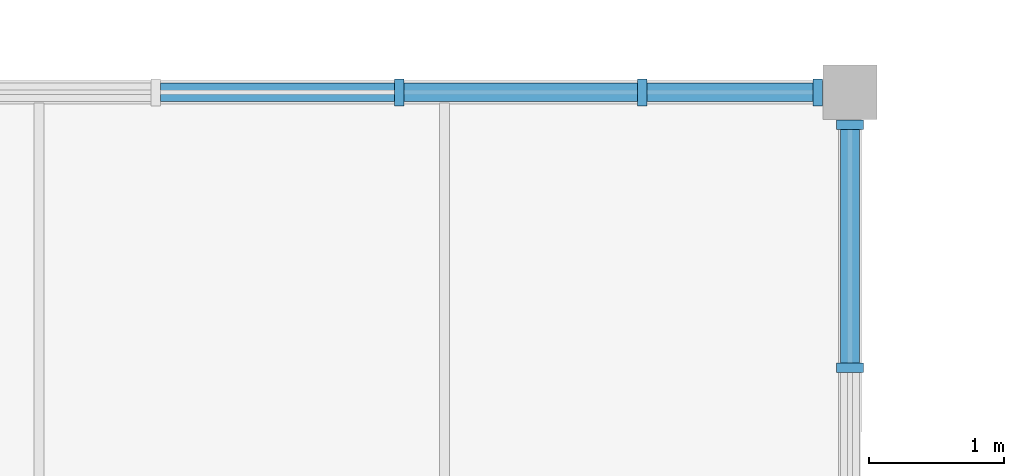
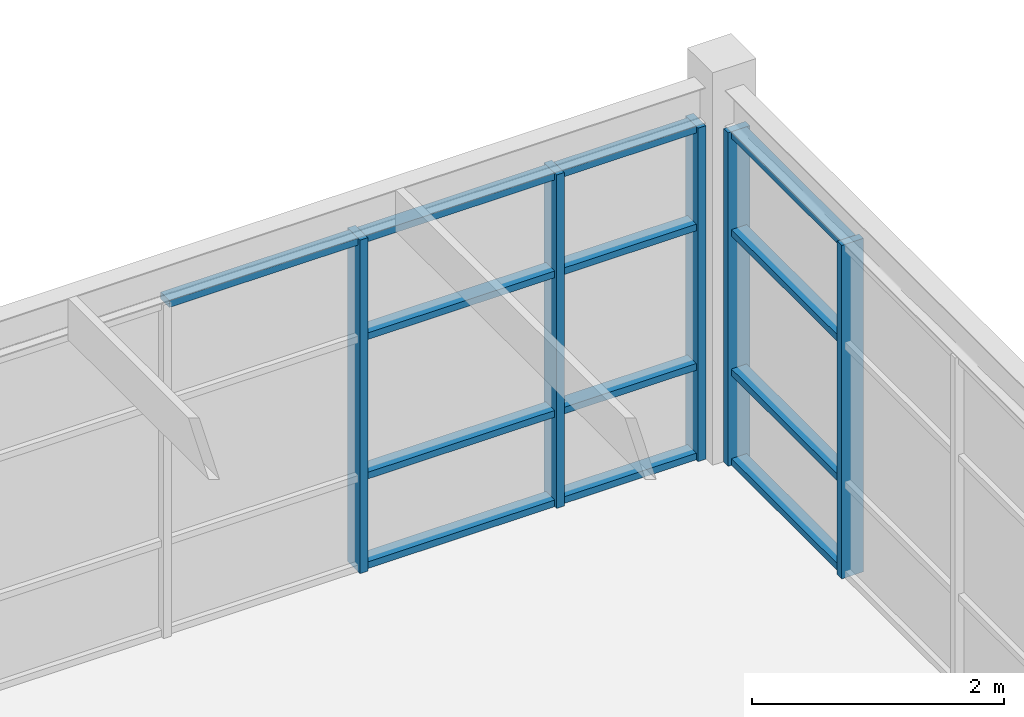
# One storey, part 9 of 81: 18 members, 2 elements without a shape of their own.
"""IFC4 building model written with IfcOpenShell, lengths in metres."""

import ifcopenshell
import ifcopenshell.guid

model = None  # the IFC model being written
_history = None  # IfcOwnerHistory: only IFC2X3 demands one
_inside = {}  # id of a spatial element -> (the spatial element, [elements in it])
_under = {}  # id of a project, library or spatial element -> (it, [spatial elements below it])
_declared = {}  # id of a project -> (the project, [libraries it declares])
_typed = {}  # id of a type object -> (the type object, [elements of that type])
_made_of = {}  # id of a material, layer set ... -> (it, [elements and type objects made of it])


def new_model(schema):
    """Start an empty IFC model of exactly this schema.

    Asked for "IFC4X3", IfcOpenShell would pick the latest addendum, in which some entities
    have other attributes; the version numbers below select the first issue.
    IFC2X3 requires an IfcOwnerHistory on every rooted entity: one is made here for all.
    """
    global model, _history
    if schema == "IFC4X3":
        model = ifcopenshell.file(schema_version=(4, 3, 0, 0))
    else:
        model = ifcopenshell.file(schema=schema)
    _inside.clear()
    _under.clear()
    _declared.clear()
    _typed.clear()
    _made_of.clear()
    _history = None
    if model.schema == "IFC2X3":
        org = make("IfcOrganization", Name="unknown")
        user = make(
            "IfcPersonAndOrganization",
            ThePerson=make("IfcPerson", FamilyName="unknown"),
            TheOrganization=org,
        )
        app = make(
            "IfcApplication",
            ApplicationDeveloper=org,
            Version="unknown",
            ApplicationFullName="unknown",
            ApplicationIdentifier="unknown",
        )
        _history = make(
            "IfcOwnerHistory",
            OwningUser=user,
            OwningApplication=app,
            ChangeAction="ADDED",
            CreationDate=0,
        )
    return model


def make(cls, **values):
    """One entity of the class cls with the attributes given. An attribute that is None is left unset."""
    return model.create_entity(
        cls, **{name: value for name, value in values.items() if value is not None}
    )


def rooted(cls, **values):
    """An entity with a GlobalId (a new one), such as an element, a storey or a relation."""
    return make(cls, GlobalId=ifcopenshell.guid.new(), OwnerHistory=_history, **values)


def si_unit(unit_type, name, prefix=None):
    """IfcSIUnit, for example si_unit("LENGTHUNIT", "METRE", prefix="MILLI")."""
    return make("IfcSIUnit", UnitType=unit_type, Prefix=prefix, Name=name)


def assignment(units):
    """IfcUnitAssignment: the units of a project."""
    return None if units is None else make("IfcUnitAssignment", Units=units)


def point(xyz):
    """IfcCartesianPoint."""
    return None if xyz is None else make("IfcCartesianPoint", Coordinates=xyz)


def direction(xyz):
    """IfcDirection."""
    return None if xyz is None else make("IfcDirection", DirectionRatios=xyz)


def frame(location, z_axis=None, x_axis=None):
    """IfcAxis2Placement3D, a coordinate frame: its origin and axes. An axis left out is left unset."""
    return make(
        "IfcAxis2Placement3D",
        Location=point(location),
        Axis=direction(z_axis),
        RefDirection=direction(x_axis),
    )


def frame_2d(location, x_axis=None):
    """IfcAxis2Placement2D, a coordinate frame in the plane: its origin and x axis."""
    return make(
        "IfcAxis2Placement2D", Location=point(location), RefDirection=direction(x_axis)
    )


def origin():
    """The frame at (0, 0, 0) with its axes left unset."""
    return frame((0.0, 0.0, 0.0))


def origin_2d():
    """The frame at (0, 0) in the plane with its x axis left unset."""
    return frame_2d((0.0, 0.0))


def place(relative_to, where):
    """IfcLocalPlacement: puts the frame where relative to a parent placement (None: the world)."""
    return make(
        "IfcLocalPlacement", PlacementRelTo=relative_to, RelativePlacement=where
    )


def context(
    kind, dimensions, precision=None, world=None, true_north=None, identifier=None
):
    """IfcGeometricRepresentationContext, for example the 3D "Model" context."""
    return make(
        "IfcGeometricRepresentationContext",
        ContextIdentifier=identifier,
        ContextType=kind,
        CoordinateSpaceDimension=dimensions,
        Precision=precision,
        WorldCoordinateSystem=world,
        TrueNorth=true_north,
    )


def subcontext(parent, identifier, kind, view, scale=None):
    """IfcGeometricRepresentationSubContext, for example "Body" below "Model"."""
    return make(
        "IfcGeometricRepresentationSubContext",
        ContextIdentifier=identifier,
        ContextType=kind,
        ParentContext=parent,
        TargetScale=scale,
        TargetView=view,
    )


def project(units=None, contexts=None):
    """IfcProject with its units and contexts."""
    return rooted(
        "IfcProject",
        Name="project",
        RepresentationContexts=contexts,
        UnitsInContext=assignment(units),
    )


def spatial(cls, under=None, at=None, **own):
    """A site, building, storey or space (cls), placed at a placement, below another one or the project."""
    s = rooted(cls, ObjectPlacement=at, **own)
    if under is not None:
        _under.setdefault(under.id(), (under, []))[1].append(s)
    return s


def profile(cls, at=None, kind="AREA", **sizes):
    """A parametric profile (cls). Its sizes go by their IFC names, for example OverallWidth=200.0."""
    return make(cls, ProfileType=kind, Position=at, **sizes)


def rectangle(**sizes):
    """IfcRectangleProfileDef."""
    return profile("IfcRectangleProfileDef", **sizes)


def extrude(swept, where, along, depth):
    """IfcExtrudedAreaSolid: the profile swept, set in the frame where, extruded along a direction by depth."""
    return make(
        "IfcExtrudedAreaSolid",
        SweptArea=swept,
        Position=where,
        ExtrudedDirection=direction(along),
        Depth=depth,
    )


def shape(context_of_items, identifier, shape_type, items):
    """IfcShapeRepresentation: the items that make up one representation, for example the "Body"."""
    return make(
        "IfcShapeRepresentation",
        ContextOfItems=context_of_items,
        RepresentationIdentifier=identifier,
        RepresentationType=shape_type,
        Items=items,
    )


def material(Name=None, Category=None):
    """IfcMaterial."""
    return make("IfcMaterial", Name=Name, Category=Category)


def layer(
    of_material, thickness, ventilated=None, Name=None, Category=None, Priority=None
):
    """IfcMaterialLayer: one layer of a wall or slab, of a material (None: an air gap)."""
    return make(
        "IfcMaterialLayer",
        Material=of_material,
        LayerThickness=thickness,
        IsVentilated=ventilated,
        Name=Name,
        Category=Category,
        Priority=Priority,
    )


def layer_set(layers, Name=None):
    """IfcMaterialLayerSet."""
    return make("IfcMaterialLayerSet", MaterialLayers=layers, LayerSetName=Name)


def material_profile(
    of_material, cross_section, Name=None, Category=None, Priority=None
):
    """IfcMaterialProfile: a cross section and its material."""
    return make(
        "IfcMaterialProfile",
        Name=Name,
        Material=of_material,
        Profile=cross_section,
        Priority=Priority,
        Category=Category,
    )


def profile_set(profiles, Name=None, composite=None):
    """IfcMaterialProfileSet."""
    return make(
        "IfcMaterialProfileSet",
        Name=Name,
        MaterialProfiles=profiles,
        CompositeProfile=composite,
    )


def made_of(thing, what):
    """Note that an element or type object is made of a material, layer set ...; save() writes the relation."""
    if what is not None:
        _made_of.setdefault(what.id(), (what, []))[1].append(thing)
    return thing


def type_object(cls, material=None, **own):
    """A type object (cls), such as IfcWallType, which elements share."""
    return made_of(rooted(cls, **own), material)


def element(
    cls,
    number,
    at=None,
    inside=None,
    cuts=None,
    type_object=None,
    material=None,
    context=None,
    identifier="Body",
    shape_type=None,
    held_by="IfcProductDefinitionShape",
    body=None,
    shapes=None,
    **own,
):
    """One element of the class cls, such as IfcWall. Its Tag is "e" and its number.

    at: its placement. inside: the storey or other place that contains it. cuts: it is an
    opening in that element (IfcRelVoidsElement). A single representation is given by context,
    identifier, shape_type and body (its items); several are given by shapes. held_by: the class
    of the entity that holds the representations. save() writes the other relations.
    """
    e = rooted(cls, Tag="e%d" % number, ObjectPlacement=at, **own)
    if body is not None:
        shapes = [shape(context, identifier, shape_type, body)]
    if shapes is not None:
        e.Representation = make(held_by, Representations=shapes)
    if inside is not None:
        _inside.setdefault(inside.id(), (inside, []))[1].append(e)
    if cuts is not None:
        rooted(
            "IfcRelVoidsElement", RelatingBuildingElement=cuts, RelatedOpeningElement=e
        )
    if type_object is not None:
        _typed.setdefault(type_object.id(), (type_object, []))[1].append(e)
    return made_of(e, material)


def aggregate(whole, parts):
    """IfcRelAggregates: a whole, such as a stair, and the parts it consists of."""
    return rooted("IfcRelAggregates", RelatingObject=whole, RelatedObjects=parts)


def save(model, path):
    """Write the relations noted so far, then the file.

    IfcRelAggregates (storeys below a building ...), IfcRelContainedInSpatialStructure (elements
    in a storey), IfcRelDefinesByType, IfcRelAssociatesMaterial and IfcRelDeclares: one each for
    every whole, place, type object, material and project.
    """
    for whole, parts in _under.values():
        aggregate(whole, parts)
    for where, things in _inside.values():
        rooted(
            "IfcRelContainedInSpatialStructure",
            RelatedElements=things,
            RelatingStructure=where,
        )
    for kind, things in _typed.values():
        rooted("IfcRelDefinesByType", RelatedObjects=things, RelatingType=kind)
    for what, things in _made_of.values():
        rooted("IfcRelAssociatesMaterial", RelatedObjects=things, RelatingMaterial=what)
    for by, libraries in _declared.values():
        rooted("IfcRelDeclares", RelatingContext=by, RelatedDefinitions=libraries)
    model.write(path)


model = new_model("IFC4")

# Units and contexts
model_context = context("Model", 3, precision=1e-05, world=origin(), true_north=direction((0.0, 1.0)))
body_context = subcontext(model_context, "Body", "Model", "MODEL_VIEW")
ifc_project = project(units=[si_unit("LENGTHUNIT", "METRE"), si_unit("AREAUNIT", "SQUARE_METRE"), si_unit("VOLUMEUNIT", "CUBIC_METRE"), si_unit("PLANEANGLEUNIT", "RADIAN"), si_unit("MASSUNIT", "GRAM", prefix="KILO")], contexts=[model_context])

# Site, building, storey
site_placement = place(None, origin())
site = spatial("IfcSite", under=ifc_project, at=site_placement, CompositionType="ELEMENT")
building_placement = place(site_placement, origin())
building = spatial("IfcBuilding", under=site, at=building_placement, Name="Marnridge Secondary College", CompositionType="ELEMENT")
storey_placement = place(building_placement, frame((0.0, 0.0, 8.5)))
storey = spatial("IfcBuildingStorey", under=building, at=storey_placement, Name="L02", CompositionType="ELEMENT", Elevation=8.5)

# Curtain wall, members
ifc_material_1 = material(Name="Bronze-anodised aluminium and solar-control glazing", Category="aluminium")
ifc_layer = layer(ifc_material_1, 0.199951171875)
ifc_layer_set = layer_set([ifc_layer], Name="CW-MOD-1800")
curtain_wall_type = type_object("IfcCurtainWallType", Name="CW-MOD-1800", PredefinedType="NOTDEFINED", material=ifc_layer_set)
curtain_wall_1_placement = place(storey_placement, origin())
curtain_wall_1 = element("IfcCurtainWall", 1, at=curtain_wall_1_placement, inside=storey, type_object=curtain_wall_type, Name="Unitised curtain wall CW-L02-105", PredefinedType="NOTDEFINED")
ifc_material_2 = material(Name="Bronze-anodised aluminium 6063-T6", Category="aluminium")
ifc_material_profile_1 = material_profile(ifc_material_2, rectangle(XDim=0.070068359375, YDim=0.199951171875, at=origin_2d()), Name="ALU 70x200")
ifc_profile_set_1 = profile_set([ifc_material_profile_1], Name="Bronze-anodised aluminium 6063-T6")
member_type_1 = type_object("IfcMemberType", Name="CWM-ALU200", PredefinedType="MULLION", material=ifc_profile_set_1)
member_1_placement = place(storey_placement, frame((41.6640625, 30.0, 0.0), z_axis=(0.0, 0.0, 1.0), x_axis=(1.0, 0.0, 0.0)))
member_1 = element("IfcMember", 2, at=member_1_placement, type_object=member_type_1, Name="CW-L02-105 mullion 4", PredefinedType="MULLION", context=body_context, shape_type="SweptSolid", body=[
    extrude(rectangle(XDim=0.070068359375, YDim=0.199951171875, at=origin_2d()), origin(), (0.0, 0.0, 1.0), 3.22998046875),
])
member_2_placement = place(storey_placement, frame((43.464111328125, 30.0, 0.0), z_axis=(0.0, 0.0, 1.0), x_axis=(1.0, 0.0, 0.0)))
member_2 = element("IfcMember", 3, at=member_2_placement, type_object=member_type_1, Name="CW-L02-105 mullion 5", PredefinedType="MULLION", context=body_context, shape_type="SweptSolid", body=[
    extrude(rectangle(XDim=0.070068359375, YDim=0.199951171875, at=origin_2d()), origin(), (0.0, 0.0, 1.0), 3.22998046875),
])
member_3_placement = place(storey_placement, frame((44.760986328125, 30.0, 0.0), z_axis=(0.0, 0.0, 1.0), x_axis=(1.0, 0.0, 0.0)))
member_3 = element("IfcMember", 4, at=member_3_placement, type_object=member_type_1, Name="CW-L02-105 mullion 6", PredefinedType="MULLION", context=body_context, shape_type="SweptSolid", body=[
    extrude(rectangle(XDim=0.070068359375, YDim=0.199951171875, at=origin_2d()), origin(), (0.0, 0.0, 1.0), 3.22998046875),
])

curtain_wall_2_placement = place(storey_placement, origin())
curtain_wall_2 = element("IfcCurtainWall", 5, at=curtain_wall_2_placement, inside=storey, type_object=curtain_wall_type, Name="Unitised curtain wall CW-L02-106", PredefinedType="NOTDEFINED")
member_4_placement = place(storey_placement, frame((45.0, 29.760986328125, 0.0), z_axis=(0.0, 0.0, 1.0), x_axis=(0.0, -1.0, 0.0)))
member_4 = element("IfcMember", 6, at=member_4_placement, type_object=member_type_1, Name="CW-L02-106 mullion 1", PredefinedType="MULLION", context=body_context, shape_type="SweptSolid", body=[
    extrude(rectangle(XDim=0.070068359375, YDim=0.199951171875, at=origin_2d()), origin(), (0.0, 0.0, 1.0), 3.22998046875),
])
member_5_placement = place(storey_placement, frame((45.0, 27.9609375, 0.0), z_axis=(0.0, 0.0, 1.0), x_axis=(0.0, -1.0, 0.0)))
member_5 = element("IfcMember", 7, at=member_5_placement, type_object=member_type_1, Name="CW-L02-106 mullion 2", PredefinedType="MULLION", context=body_context, shape_type="SweptSolid", body=[
    extrude(rectangle(XDim=0.070068359375, YDim=0.199951171875, at=origin_2d()), origin(), (0.0, 0.0, 1.0), 3.22998046875),
])

# Member
ifc_material_3 = material(Name="Anodised aluminium 6063-T6", Category="aluminium")
ifc_material_profile_2 = material_profile(ifc_material_3, rectangle(XDim=0.06494140625, YDim=0.139892578125, at=origin_2d()), Name="ALU 65x140")
ifc_profile_set_2 = profile_set([ifc_material_profile_2], Name="Anodised aluminium 6063-T6")
member_type_2 = type_object("IfcMemberType", Name="CWT-ALU140", PredefinedType="USERDEFINED", material=ifc_profile_set_2)
member_6_placement = place(storey_placement, frame((39.89892578125, 30.0, 3.197509765625), z_axis=(1.0, 0.0, 0.0), x_axis=(0.0, 0.0, 1.0)))
member_6 = element("IfcMember", 8, at=member_6_placement, type_object=member_type_2, Name="CW-L02-105 transom 3.4", ObjectType="TRANSOM", PredefinedType="USERDEFINED", context=body_context, shape_type="SweptSolid", body=[
    extrude(rectangle(XDim=0.06494140625, YDim=0.139892578125, at=origin_2d()), origin(), (0.0, 0.0, 1.0), 1.72998046875),
])

member_7_placement = place(storey_placement, frame((41.698974609375, 30.0, 0.032470703125), z_axis=(1.0, 0.0, 0.0), x_axis=(0.0, 0.0, 1.0)))
member_7 = element("IfcMember", 9, at=member_7_placement, type_object=member_type_2, Name="CW-L02-105 transom 4.1", ObjectType="TRANSOM", PredefinedType="USERDEFINED", context=body_context, shape_type="SweptSolid", body=[
    extrude(rectangle(XDim=0.06494140625, YDim=0.139892578125, at=origin_2d()), origin(), (0.0, 0.0, 1.0), 1.72998046875),
])

member_8_placement = place(storey_placement, frame((41.698974609375, 30.0, 0.89990234375), z_axis=(1.0, 0.0, 0.0), x_axis=(0.0, 0.0, 1.0)))
member_8 = element("IfcMember", 10, at=member_8_placement, type_object=member_type_2, Name="CW-L02-105 transom 4.2", ObjectType="TRANSOM", PredefinedType="USERDEFINED", context=body_context, shape_type="SweptSolid", body=[
    extrude(rectangle(XDim=0.06494140625, YDim=0.139892578125, at=origin_2d()), origin(), (0.0, 0.0, 1.0), 1.72998046875),
])

member_9_placement = place(storey_placement, frame((41.698974609375, 30.0, 2.25), z_axis=(1.0, 0.0, 0.0), x_axis=(0.0, 0.0, 1.0)))
member_9 = element("IfcMember", 11, at=member_9_placement, type_object=member_type_2, Name="CW-L02-105 transom 4.3", ObjectType="TRANSOM", PredefinedType="USERDEFINED", context=body_context, shape_type="SweptSolid", body=[
    extrude(rectangle(XDim=0.06494140625, YDim=0.139892578125, at=origin_2d()), origin(), (0.0, 0.0, 1.0), 1.72998046875),
])

member_10_placement = place(storey_placement, frame((41.698974609375, 30.0, 3.197509765625), z_axis=(1.0, 0.0, 0.0), x_axis=(0.0, 0.0, 1.0)))
member_10 = element("IfcMember", 12, at=member_10_placement, type_object=member_type_2, Name="CW-L02-105 transom 4.4", ObjectType="TRANSOM", PredefinedType="USERDEFINED", context=body_context, shape_type="SweptSolid", body=[
    extrude(rectangle(XDim=0.06494140625, YDim=0.139892578125, at=origin_2d()), origin(), (0.0, 0.0, 1.0), 1.72998046875),
])

member_11_placement = place(storey_placement, frame((43.4990234375, 30.0, 0.032470703125), z_axis=(1.0, 0.0, 0.0), x_axis=(0.0, 0.0, 1.0)))
member_11 = element("IfcMember", 13, at=member_11_placement, type_object=member_type_2, Name="CW-L02-105 transom 5.1", ObjectType="TRANSOM", PredefinedType="USERDEFINED", context=body_context, shape_type="SweptSolid", body=[
    extrude(rectangle(XDim=0.06494140625, YDim=0.139892578125, at=origin_2d()), origin(), (0.0, 0.0, 1.0), 1.22705078125),
])

member_12_placement = place(storey_placement, frame((43.4990234375, 30.0, 0.89990234375), z_axis=(1.0, 0.0, 0.0), x_axis=(0.0, 0.0, 1.0)))
member_12 = element("IfcMember", 14, at=member_12_placement, type_object=member_type_2, Name="CW-L02-105 transom 5.2", ObjectType="TRANSOM", PredefinedType="USERDEFINED", context=body_context, shape_type="SweptSolid", body=[
    extrude(rectangle(XDim=0.06494140625, YDim=0.139892578125, at=origin_2d()), origin(), (0.0, 0.0, 1.0), 1.22705078125),
])

member_13_placement = place(storey_placement, frame((43.4990234375, 30.0, 2.25), z_axis=(1.0, 0.0, 0.0), x_axis=(0.0, 0.0, 1.0)))
member_13 = element("IfcMember", 15, at=member_13_placement, type_object=member_type_2, Name="CW-L02-105 transom 5.3", ObjectType="TRANSOM", PredefinedType="USERDEFINED", context=body_context, shape_type="SweptSolid", body=[
    extrude(rectangle(XDim=0.06494140625, YDim=0.139892578125, at=origin_2d()), origin(), (0.0, 0.0, 1.0), 1.22705078125),
])

member_14_placement = place(storey_placement, frame((43.4990234375, 30.0, 3.197509765625), z_axis=(1.0, 0.0, 0.0), x_axis=(0.0, 0.0, 1.0)))
member_14 = element("IfcMember", 16, at=member_14_placement, type_object=member_type_2, Name="CW-L02-105 transom 5.4", ObjectType="TRANSOM", PredefinedType="USERDEFINED", context=body_context, shape_type="SweptSolid", body=[
    extrude(rectangle(XDim=0.06494140625, YDim=0.139892578125, at=origin_2d()), origin(), (0.0, 0.0, 1.0), 1.22705078125),
])

aggregate(curtain_wall_1, [member_1, member_2, member_3, member_6, member_7, member_8, member_9, member_10, member_11, member_12, member_13, member_14])

member_15_placement = place(storey_placement, frame((45.0, 29.72607421875, 0.032470703125), z_axis=(0.0, -1.0, 0.0), x_axis=(0.0, 0.0, 1.0)))
member_15 = element("IfcMember", 17, at=member_15_placement, type_object=member_type_2, Name="CW-L02-106 transom 1.1", ObjectType="TRANSOM", PredefinedType="USERDEFINED", context=body_context, shape_type="SweptSolid", body=[
    extrude(rectangle(XDim=0.06494140625, YDim=0.139892578125, at=origin_2d()), origin(), (0.0, 0.0, 1.0), 1.72998046875),
])

member_16_placement = place(storey_placement, frame((45.0, 29.72607421875, 0.89990234375), z_axis=(0.0, -1.0, 0.0), x_axis=(0.0, 0.0, 1.0)))
member_16 = element("IfcMember", 18, at=member_16_placement, type_object=member_type_2, Name="CW-L02-106 transom 1.2", ObjectType="TRANSOM", PredefinedType="USERDEFINED", context=body_context, shape_type="SweptSolid", body=[
    extrude(rectangle(XDim=0.06494140625, YDim=0.139892578125, at=origin_2d()), origin(), (0.0, 0.0, 1.0), 1.72998046875),
])

member_17_placement = place(storey_placement, frame((45.0, 29.72607421875, 2.25), z_axis=(0.0, -1.0, 0.0), x_axis=(0.0, 0.0, 1.0)))
member_17 = element("IfcMember", 19, at=member_17_placement, type_object=member_type_2, Name="CW-L02-106 transom 1.3", ObjectType="TRANSOM", PredefinedType="USERDEFINED", context=body_context, shape_type="SweptSolid", body=[
    extrude(rectangle(XDim=0.06494140625, YDim=0.139892578125, at=origin_2d()), origin(), (0.0, 0.0, 1.0), 1.72998046875),
])

member_18_placement = place(storey_placement, frame((45.0, 29.72607421875, 3.197509765625), z_axis=(0.0, -1.0, 0.0), x_axis=(0.0, 0.0, 1.0)))
member_18 = element("IfcMember", 20, at=member_18_placement, type_object=member_type_2, Name="CW-L02-106 transom 1.4", ObjectType="TRANSOM", PredefinedType="USERDEFINED", context=body_context, shape_type="SweptSolid", body=[
    extrude(rectangle(XDim=0.06494140625, YDim=0.139892578125, at=origin_2d()), origin(), (0.0, 0.0, 1.0), 1.72998046875),
])

aggregate(curtain_wall_2, [member_4, member_5, member_15, member_16, member_17, member_18])

save(model, "model.ifc")
